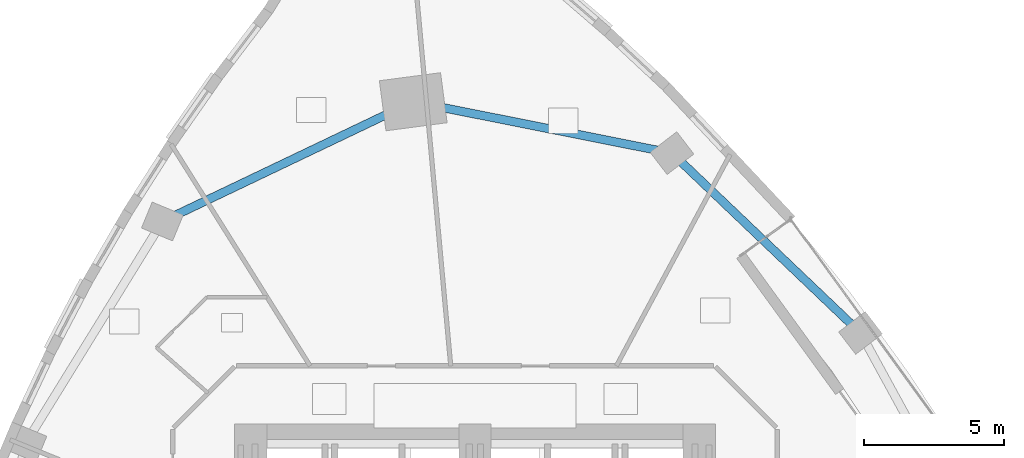
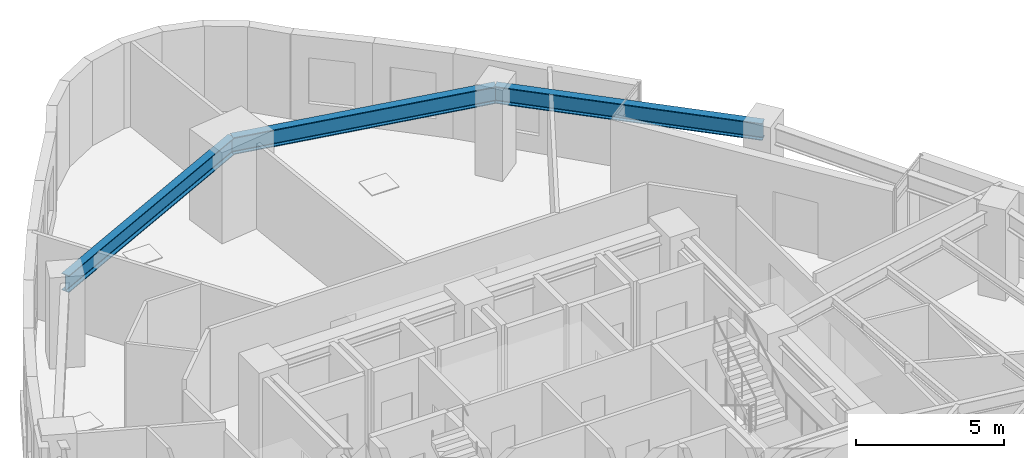
# One storey, part 5 of 15: 3 beams.
"""IFC4 building model written with IfcOpenShell, lengths in metres."""

from ifc_helpers import new_model, si_unit, direction, frame, origin, origin_2d, place, context, subcontext, project, spatial, i_section, extrude, material, material_profile, profile_set, type_object, element, save


model = new_model("IFC4")

# Units and contexts
model_context = context("Model", 3, precision=1e-05, world=origin(), true_north=direction((0.0, 1.0)))
body_context = subcontext(model_context, "Body", "Model", "MODEL_VIEW")
ifc_project = project(units=[si_unit("LENGTHUNIT", "METRE"), si_unit("AREAUNIT", "SQUARE_METRE"), si_unit("VOLUMEUNIT", "CUBIC_METRE"), si_unit("PLANEANGLEUNIT", "RADIAN"), si_unit("MASSUNIT", "GRAM", prefix="KILO")], contexts=[model_context])

# Site, building, storey
site_placement = place(None, origin())
site = spatial("IfcSite", under=ifc_project, at=site_placement, CompositionType="ELEMENT")
building_placement = place(site_placement, origin())
building = spatial("IfcBuilding", under=site, at=building_placement, Name="Ndelora Gate Hotel", CompositionType="ELEMENT")
storey_placement = place(building_placement, frame((0.0, 0.0, 56.75)))
storey = spatial("IfcBuildingStorey", under=building, at=storey_placement, Name="L13", CompositionType="ELEMENT", Elevation=56.75)

# Beams
ifc_material = material(Name="Steel S355", Category="steel")
ifc_material_profile = material_profile(ifc_material, i_section(OverallWidth=0.300048828125, OverallDepth=0.699951171875, WebThickness=0.01708984375, FlangeThickness=0.031982421875, FilletRadius=0.027099609375, at=origin_2d()), Name="HEB 700")
ifc_profile_set = profile_set([ifc_material_profile], Name="Steel S355")
beam_type = type_object("IfcBeamType", Name="BM-RING-700", PredefinedType="SPANDREL", material=ifc_profile_set)
beam_1_placement = place(storey_placement, frame((-2.199951171875, 18.800048828125, 3.14990234375), z_axis=(-0.902476034566, -0.43074006899, 0.0), x_axis=(0.43074006899, -0.902476034566, 0.0)))
element("IfcBeam", 1, at=beam_1_placement, inside=storey, type_object=beam_type, Name="L13 Perimeter Spandrel Girder 1", PredefinedType="SPANDREL", context=body_context, shape_type="SweptSolid", body=[
    extrude(i_section(OverallWidth=0.300048828125, OverallDepth=0.699951171875, WebThickness=0.01708984375, FlangeThickness=0.031982421875, FilletRadius=0.027099609375, at=origin_2d()), origin(), (0.0, 0.0, 1.0), 9.91552734375),
])
beam_2_placement = place(storey_placement, frame((13.75390625, 10.5537109375, 3.14990234375), z_axis=(-0.723784227769, 0.690026370244, 0.0), x_axis=(-0.690026370244, -0.723784227769, 0.0)))
element("IfcBeam", 2, at=beam_2_placement, inside=storey, type_object=beam_type, Name="L13 Perimeter Spandrel Girder 11", PredefinedType="SPANDREL", context=body_context, shape_type="SweptSolid", body=[
    extrude(i_section(OverallWidth=0.300048828125, OverallDepth=0.699951171875, WebThickness=0.01708984375, FlangeThickness=0.031982421875, FilletRadius=0.027099609375, at=origin_2d()), origin(), (0.0, 0.0, 1.0), 9.293212890625),
])
beam_3_placement = place(storey_placement, frame((7.027587890625, 16.96630859375, 3.14990234375), z_axis=(-0.980820478164, 0.194913287424, 0.0), x_axis=(-0.194913287424, -0.980820478164, 0.0)))
element("IfcBeam", 3, at=beam_3_placement, inside=storey, type_object=beam_type, Name="L13 Perimeter Spandrel Girder 12", PredefinedType="SPANDREL", context=body_context, shape_type="SweptSolid", body=[
    extrude(i_section(OverallWidth=0.300048828125, OverallDepth=0.699951171875, WebThickness=0.01708984375, FlangeThickness=0.031982421875, FilletRadius=0.027099609375, at=origin_2d()), origin(), (0.0, 0.0, 1.0), 9.407958984375),
])

save(model, "model.ifc")
